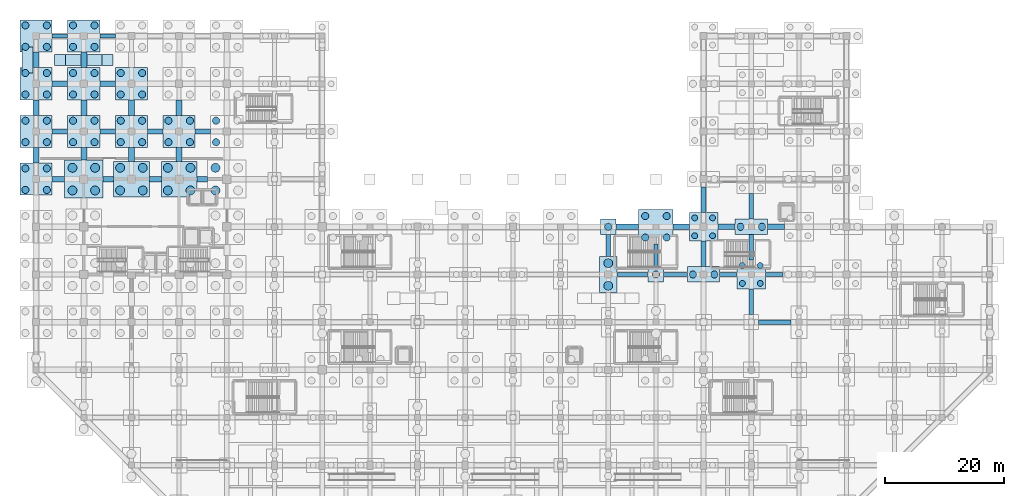
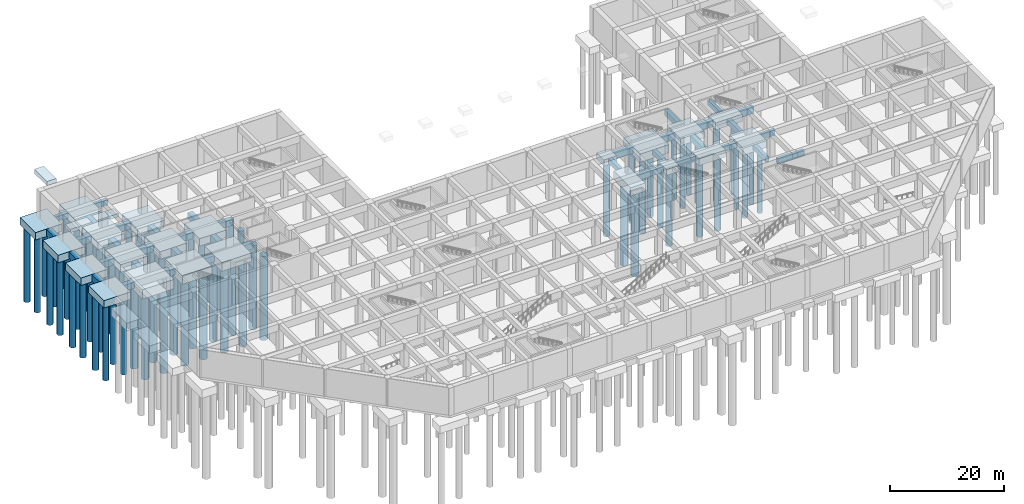
# One storey, part 6 of 26: 76 piles, 63 footings.
"""IFC4 building model written with IfcOpenShell, lengths in metres."""

from ifc_helpers import new_model, si_unit, direction, frame, origin, origin_2d, place, context, subcontext, project, spatial, rectangle, circle, extrude, material, material_profile, profile_set, type_object, element, save


model = new_model("IFC4")

# Units and contexts
model_context = context("Model", 3, precision=1e-05, world=origin(), true_north=direction((0.0, 1.0)))
body_context = subcontext(model_context, "Body", "Model", "MODEL_VIEW")
ifc_project = project(units=[si_unit("LENGTHUNIT", "METRE"), si_unit("AREAUNIT", "SQUARE_METRE"), si_unit("VOLUMEUNIT", "CUBIC_METRE"), si_unit("PLANEANGLEUNIT", "RADIAN"), si_unit("MASSUNIT", "GRAM", prefix="KILO")], contexts=[model_context])

# Site, building, storey
site_placement = place(None, origin())
site = spatial("IfcSite", under=ifc_project, at=site_placement, CompositionType="ELEMENT")
building_placement = place(site_placement, origin())
building = spatial("IfcBuilding", under=site, at=building_placement, Name="Varnela Railside Interchange", CompositionType="ELEMENT")
storey_placement = place(building_placement, frame((0.0, 0.0, -12.60009765625)))
storey = spatial("IfcBuildingStorey", under=building, at=storey_placement, Name="B2", CompositionType="ELEMENT", Elevation=-12.60009765625)

# Piles
ifc_material_1 = material(Name="Concrete C40", Category="concrete")
ifc_material_profile_1 = material_profile(ifc_material_1, circle(Radius=0.5, at=origin_2d()), Name="BORED PILE D1000")
ifc_profile_set_1 = profile_set([ifc_material_profile_1], Name="Concrete C40")
pile_type_1 = type_object("IfcPileType", Name="Bored Pile D1000 L14m", PredefinedType="BORED", material=ifc_profile_set_1)
for number, where, z_axis, x_axis, name in (
    (1, (114.5, 60.5, -2.2998046875), (0.0, 0.0, -1.0), (1.0, 0.0, 0.0), "Bored Pile D1000 L14m"),
    (2, (117.5, 60.5, -2.2998046875), (0.0, 0.0, -1.0), (1.0, 0.0, 0.0), "Bored Pile D1000 L14m"),
    (3, (114.5, 63.5, -2.2998046875), (0.0, 0.0, -1.0), (1.0, 0.0, 0.0), "Bored Pile D1000 L14m"),
    (4, (117.5, 63.5, -2.2998046875), (0.0, 0.0, -1.0), (1.0, 0.0, 0.0), "Bored Pile D1000 L14m"),
    (5, (122.5, 52.5, -2.2998046875), (0.0, 0.0, -1.0), (1.0, 0.0, 0.0), "Bored Pile D1000 L14m"),
    (6, (125.5, 52.5, -2.2998046875), (0.0, 0.0, -1.0), (1.0, 0.0, 0.0), "Bored Pile D1000 L14m"),
    (7, (122.5, 55.5, -2.2998046875), (0.0, 0.0, -1.0), (1.0, 0.0, 0.0), "Bored Pile D1000 L14m"),
    (8, (125.5, 55.5, -2.2998046875), (0.0, 0.0, -1.0), (1.0, 0.0, 0.0), "Bored Pile D1000 L14m"),
):
    element("IfcPile", number, at=place(storey_placement, frame(where, z_axis=z_axis, x_axis=x_axis)), inside=storey, type_object=pile_type_1, Name=name, PredefinedType="BORED", context=body_context, shape_type="SweptSolid", body=[
        extrude(circle(Radius=0.5, at=origin_2d()), origin(), (0.0, 0.0, 1.0), 14.0),
    ])
ifc_material_profile_2 = material_profile(ifc_material_1, circle(Radius=0.60009765625, at=origin_2d()), Name="BORED PILE D1200")
ifc_profile_set_2 = profile_set([ifc_material_profile_2], Name="Concrete C40")
pile_type_2 = type_object("IfcPileType", Name="Bored Pile D1200 L16m", PredefinedType="BORED", material=ifc_profile_set_2)
for number, where, z_axis, x_axis, name in (
    (9, (2.199951171875, 68.199951171875, -2.39990234375), (0.0, 0.0, -1.0), (1.0, 0.0, 0.0), "Bored Pile D1200 L16m"),
    (10, (5.800048828125, 68.199951171875, -2.39990234375), (0.0, 0.0, -1.0), (1.0, 0.0, 0.0), "Bored Pile D1200 L16m"),
    (11, (2.199951171875, 71.800048828125, -2.39990234375), (0.0, 0.0, -1.0), (1.0, 0.0, 0.0), "Bored Pile D1200 L16m"),
    (12, (5.800048828125, 71.800048828125, -2.39990234375), (0.0, 0.0, -1.0), (1.0, 0.0, 0.0), "Bored Pile D1200 L16m"),
    (13, (2.199951171875, 76.199951171875, -2.39990234375), (0.0, 0.0, -1.0), (1.0, 0.0, 0.0), "Bored Pile D1200 L16m"),
    (14, (5.800048828125, 76.199951171875, -2.39990234375), (0.0, 0.0, -1.0), (1.0, 0.0, 0.0), "Bored Pile D1200 L16m"),
    (15, (2.199951171875, 79.800048828125, -2.39990234375), (0.0, 0.0, -1.0), (1.0, 0.0, 0.0), "Bored Pile D1200 L16m"),
    (16, (5.800048828125, 79.800048828125, -2.39990234375), (0.0, 0.0, -1.0), (1.0, 0.0, 0.0), "Bored Pile D1200 L16m"),
    (17, (2.199951171875, 84.199951171875, -2.39990234375), (0.0, 0.0, -1.0), (1.0, 0.0, 0.0), "Bored Pile D1200 L16m"),
    (18, (5.800048828125, 84.199951171875, -2.39990234375), (0.0, 0.0, -1.0), (1.0, 0.0, 0.0), "Bored Pile D1200 L16m"),
    (19, (2.199951171875, 87.800048828125, -2.39990234375), (0.0, 0.0, -1.0), (1.0, 0.0, 0.0), "Bored Pile D1200 L16m"),
    (20, (5.800048828125, 87.800048828125, -2.39990234375), (0.0, 0.0, -1.0), (1.0, 0.0, 0.0), "Bored Pile D1200 L16m"),
    (21, (2.199951171875, 92.199951171875, -2.39990234375), (0.0, 0.0, -1.0), (1.0, 0.0, 0.0), "Bored Pile D1200 L16m"),
    (22, (5.800048828125, 92.199951171875, -2.39990234375), (0.0, 0.0, -1.0), (1.0, 0.0, 0.0), "Bored Pile D1200 L16m"),
    (23, (2.199951171875, 95.800048828125, -2.39990234375), (0.0, 0.0, -1.0), (1.0, 0.0, 0.0), "Bored Pile D1200 L16m"),
    (24, (5.800048828125, 95.800048828125, -2.39990234375), (0.0, 0.0, -1.0), (1.0, 0.0, 0.0), "Bored Pile D1200 L16m"),
    (25, (10.199951171875, 76.199951171875, -2.39990234375), (0.0, 0.0, -1.0), (1.0, 0.0, 0.0), "Bored Pile D1200 L16m"),
    (26, (13.800048828125, 76.199951171875, -2.39990234375), (0.0, 0.0, -1.0), (1.0, 0.0, 0.0), "Bored Pile D1200 L16m"),
    (27, (10.199951171875, 79.800048828125, -2.39990234375), (0.0, 0.0, -1.0), (1.0, 0.0, 0.0), "Bored Pile D1200 L16m"),
    (28, (13.800048828125, 79.800048828125, -2.39990234375), (0.0, 0.0, -1.0), (1.0, 0.0, 0.0), "Bored Pile D1200 L16m"),
    (29, (10.199951171875, 84.199951171875, -2.39990234375), (0.0, 0.0, -1.0), (1.0, 0.0, 0.0), "Bored Pile D1200 L16m"),
    (30, (13.800048828125, 84.199951171875, -2.39990234375), (0.0, 0.0, -1.0), (1.0, 0.0, 0.0), "Bored Pile D1200 L16m"),
    (31, (10.199951171875, 87.800048828125, -2.39990234375), (0.0, 0.0, -1.0), (1.0, 0.0, 0.0), "Bored Pile D1200 L16m"),
    (32, (13.800048828125, 87.800048828125, -2.39990234375), (0.0, 0.0, -1.0), (1.0, 0.0, 0.0), "Bored Pile D1200 L16m"),
    (33, (10.199951171875, 92.199951171875, -2.39990234375), (0.0, 0.0, -1.0), (1.0, 0.0, 0.0), "Bored Pile D1200 L16m"),
    (34, (13.800048828125, 92.199951171875, -2.39990234375), (0.0, 0.0, -1.0), (1.0, 0.0, 0.0), "Bored Pile D1200 L16m"),
    (35, (10.199951171875, 95.800048828125, -2.39990234375), (0.0, 0.0, -1.0), (1.0, 0.0, 0.0), "Bored Pile D1200 L16m"),
    (36, (13.800048828125, 95.800048828125, -2.39990234375), (0.0, 0.0, -1.0), (1.0, 0.0, 0.0), "Bored Pile D1200 L16m"),
    (37, (18.199951171875, 76.199951171875, -2.39990234375), (0.0, 0.0, -1.0), (1.0, 0.0, 0.0), "Bored Pile D1200 L16m"),
    (38, (21.800048828125, 76.199951171875, -2.39990234375), (0.0, 0.0, -1.0), (1.0, 0.0, 0.0), "Bored Pile D1200 L16m"),
    (39, (18.199951171875, 79.800048828125, -2.39990234375), (0.0, 0.0, -1.0), (1.0, 0.0, 0.0), "Bored Pile D1200 L16m"),
    (40, (21.800048828125, 79.800048828125, -2.39990234375), (0.0, 0.0, -1.0), (1.0, 0.0, 0.0), "Bored Pile D1200 L16m"),
    (41, (18.199951171875, 84.199951171875, -2.39990234375), (0.0, 0.0, -1.0), (1.0, 0.0, 0.0), "Bored Pile D1200 L16m"),
    (42, (21.800048828125, 84.199951171875, -2.39990234375), (0.0, 0.0, -1.0), (1.0, 0.0, 0.0), "Bored Pile D1200 L16m"),
    (43, (18.199951171875, 87.800048828125, -2.39990234375), (0.0, 0.0, -1.0), (1.0, 0.0, 0.0), "Bored Pile D1200 L16m"),
    (44, (21.800048828125, 87.800048828125, -2.39990234375), (0.0, 0.0, -1.0), (1.0, 0.0, 0.0), "Bored Pile D1200 L16m"),
    (45, (26.199951171875, 76.199951171875, -2.39990234375), (0.0, 0.0, -1.0), (1.0, 0.0, 0.0), "Bored Pile D1200 L16m"),
    (46, (29.800048828125, 76.199951171875, -2.39990234375), (0.0, 0.0, -1.0), (1.0, 0.0, 0.0), "Bored Pile D1200 L16m"),
    (47, (26.199951171875, 79.800048828125, -2.39990234375), (0.0, 0.0, -1.0), (1.0, 0.0, 0.0), "Bored Pile D1200 L16m"),
    (48, (29.800048828125, 79.800048828125, -2.39990234375), (0.0, 0.0, -1.0), (1.0, 0.0, 0.0), "Bored Pile D1200 L16m"),
    (49, (34.199951171875, 76.199951171875, -2.39990234375), (0.0, 0.0, -1.0), (1.0, 0.0, 0.0), "Bored Pile D1200 L16m"),
    (50, (34.199951171875, 79.800048828125, -2.39990234375), (0.0, 0.0, -1.0), (1.0, 0.0, 0.0), "Bored Pile D1200 L16m"),
    (51, (100.0, 62.0, -2.099853515625), (0.0, 0.0, -1.0), (1.0, 0.0, 0.0), "Bored Pile D1200 L16m"),
    (52, (108.0, 54.0, -2.099853515625), (0.0, 0.0, -1.0), (1.0, 0.0, 0.0), "Bored Pile D1200 L16m"),
    (53, (106.199951171875, 60.199951171875, -2.5498046875), (0.0, 0.0, -1.0), (1.0, 0.0, 0.0), "Bored Pile D1200 L16m"),
    (54, (109.800048828125, 60.199951171875, -2.5498046875), (0.0, 0.0, -1.0), (1.0, 0.0, 0.0), "Bored Pile D1200 L16m"),
    (55, (106.199951171875, 63.800048828125, -2.5498046875), (0.0, 0.0, -1.0), (1.0, 0.0, 0.0), "Bored Pile D1200 L16m"),
    (56, (109.800048828125, 63.800048828125, -2.5498046875), (0.0, 0.0, -1.0), (1.0, 0.0, 0.0), "Bored Pile D1200 L16m"),
    (57, (114.199951171875, 54.0, -2.2998046875), (0.0, 0.0, -1.0), (1.0, 0.0, 0.0), "Bored Pile D1200 L16m"),
    (58, (117.800048828125, 54.0, -2.2998046875), (0.0, 0.0, -1.0), (1.0, 0.0, 0.0), "Bored Pile D1200 L16m"),
    (59, (122.199951171875, 62.0, -2.2998046875), (0.0, 0.0, -1.0), (1.0, 0.0, 0.0), "Bored Pile D1200 L16m"),
    (60, (125.800048828125, 62.0, -2.2998046875), (0.0, 0.0, -1.0), (1.0, 0.0, 0.0), "Bored Pile D1200 L16m"),
):
    element("IfcPile", number, at=place(storey_placement, frame(where, z_axis=z_axis, x_axis=x_axis)), inside=storey, type_object=pile_type_2, Name=name, PredefinedType="BORED", context=body_context, shape_type="SweptSolid", body=[
        extrude(circle(Radius=0.60009765625, at=origin_2d()), origin(), (0.0, 0.0, 1.0), 16.0),
    ])
ifc_material_profile_3 = material_profile(ifc_material_1, circle(Radius=0.75, at=origin_2d()), Name="BORED PILE D1500")
ifc_profile_set_3 = profile_set([ifc_material_profile_3], Name="Concrete C40")
pile_type_3 = type_object("IfcPileType", Name="Bored Pile D1500 L18m", PredefinedType="BORED", material=ifc_profile_set_3)
for number, where, z_axis, x_axis, name in (
    (61, (10.10009765625, 68.10009765625, -2.7998046875), (0.0, 0.0, -1.0), (1.0, 0.0, 0.0), "Bored Pile D1500 L18m"),
    (62, (13.89990234375, 68.10009765625, -2.7998046875), (0.0, 0.0, -1.0), (1.0, 0.0, 0.0), "Bored Pile D1500 L18m"),
    (63, (10.10009765625, 71.89990234375, -2.7998046875), (0.0, 0.0, -1.0), (1.0, 0.0, 0.0), "Bored Pile D1500 L18m"),
    (64, (13.89990234375, 71.89990234375, -2.7998046875), (0.0, 0.0, -1.0), (1.0, 0.0, 0.0), "Bored Pile D1500 L18m"),
    (65, (18.10009765625, 68.10009765625, -2.64990234375), (0.0, 0.0, -1.0), (1.0, 0.0, 0.0), "Bored Pile D1500 L18m"),
    (66, (21.89990234375, 68.10009765625, -2.64990234375), (0.0, 0.0, -1.0), (1.0, 0.0, 0.0), "Bored Pile D1500 L18m"),
    (67, (18.10009765625, 71.89990234375, -2.64990234375), (0.0, 0.0, -1.0), (1.0, 0.0, 0.0), "Bored Pile D1500 L18m"),
    (68, (21.89990234375, 71.89990234375, -2.64990234375), (0.0, 0.0, -1.0), (1.0, 0.0, 0.0), "Bored Pile D1500 L18m"),
    (69, (26.10009765625, 68.10009765625, -2.64990234375), (0.0, 0.0, -1.0), (1.0, 0.0, 0.0), "Bored Pile D1500 L18m"),
    (70, (29.89990234375, 68.10009765625, -2.64990234375), (0.0, 0.0, -1.0), (1.0, 0.0, 0.0), "Bored Pile D1500 L18m"),
    (71, (26.10009765625, 71.89990234375, -2.64990234375), (0.0, 0.0, -1.0), (1.0, 0.0, 0.0), "Bored Pile D1500 L18m"),
    (72, (29.89990234375, 71.89990234375, -2.64990234375), (0.0, 0.0, -1.0), (1.0, 0.0, 0.0), "Bored Pile D1500 L18m"),
    (73, (34.10009765625, 68.10009765625, -2.7998046875), (0.0, 0.0, -1.0), (1.0, 0.0, 0.0), "Bored Pile D1500 L18m"),
    (74, (34.10009765625, 71.89990234375, -2.7998046875), (0.0, 0.0, -1.0), (1.0, 0.0, 0.0), "Bored Pile D1500 L18m"),
    (75, (100.0, 52.10009765625, -2.5498046875), (0.0, 0.0, -1.0), (1.0, 0.0, 0.0), "Bored Pile D1500 L18m"),
    (76, (100.0, 55.89990234375, -2.5498046875), (0.0, 0.0, -1.0), (1.0, 0.0, 0.0), "Bored Pile D1500 L18m"),
):
    element("IfcPile", number, at=place(storey_placement, frame(where, z_axis=z_axis, x_axis=x_axis)), inside=storey, type_object=pile_type_3, Name=name, PredefinedType="BORED", context=body_context, shape_type="SweptSolid", body=[
        extrude(circle(Radius=0.75, at=origin_2d()), origin(), (0.0, 0.0, 1.0), 18.0),
    ])

# Footings
ifc_material_2 = material(Name="Concrete C50", Category="concrete")
footing_type_1 = type_object("IfcFootingType", Name="Four-Pile Box Cap PC-11", PredefinedType="PILE_CAP", material=ifc_material_2)
for number, where, z_axis, x_axis, name in (
    (77, (4.0, 70.0, -2.39990234375), (0.0, 0.0, 1.0), (1.0, 0.0, 0.0), "Four-Pile Box Cap PC-11 (FT-0108)"),
    (78, (4.0, 78.0, -2.39990234375), (0.0, 0.0, 1.0), (1.0, 0.0, 0.0), "Four-Pile Box Cap PC-11 (FT-0109)"),
    (79, (4.0, 86.0, -2.39990234375), (0.0, 0.0, 1.0), (1.0, 0.0, 0.0), "Four-Pile Box Cap PC-11 (FT-0110)"),
    (80, (4.0, 94.0, -2.39990234375), (0.0, 0.0, 1.0), (1.0, 0.0, 0.0), "Four-Pile Box Cap PC-11 (FT-0111)"),
    (81, (12.0, 78.0, -2.39990234375), (0.0, 0.0, 1.0), (1.0, 0.0, 0.0), "Four-Pile Box Cap PC-11 (FT-0127)"),
    (82, (12.0, 86.0, -2.39990234375), (0.0, 0.0, 1.0), (1.0, 0.0, 0.0), "Four-Pile Box Cap PC-11 (FT-0128)"),
    (83, (12.0, 94.0, -2.39990234375), (0.0, 0.0, 1.0), (1.0, 0.0, 0.0), "Four-Pile Box Cap PC-11 (FT-0129)"),
    (84, (20.0, 78.0, -2.39990234375), (0.0, 0.0, 1.0), (1.0, 0.0, 0.0), "Four-Pile Box Cap PC-11 (FT-0136)"),
    (85, (20.0, 86.0, -2.39990234375), (0.0, 0.0, 1.0), (1.0, 0.0, 0.0), "Four-Pile Box Cap PC-11 (FT-0137)"),
    (86, (28.0, 78.0, -2.39990234375), (0.0, 0.0, 1.0), (1.0, 0.0, 0.0), "Four-Pile Box Cap PC-11 (FT-0146)"),
):
    element("IfcFooting", number, at=place(storey_placement, frame(where, z_axis=z_axis, x_axis=x_axis)), inside=storey, type_object=footing_type_1, Name=name, PredefinedType="PILE_CAP", context=body_context, shape_type="SweptSolid", body=[
        extrude(rectangle(XDim=5.39990234375, YDim=5.39990234375, at=origin_2d()), origin(), (0.0, 0.0, 1.0), 1.60009765625),
    ])
footing_type_2 = type_object("IfcFootingType", Name="Four-Pile Cap PC-06", PredefinedType="PILE_CAP", material=ifc_material_2)
for number, where, z_axis, x_axis, name in (
    (87, (116.0, 62.0, -2.2998046875), (0.0, 0.0, 1.0), (1.0, 0.0, 0.0), "Four-Pile Cap PC-06 (FT-0058)"),
    (88, (124.0, 54.0, -2.2998046875), (0.0, 0.0, 1.0), (1.0, 0.0, 0.0), "Four-Pile Cap PC-06 (FT-0069)"),
):
    element("IfcFooting", number, at=place(storey_placement, frame(where, z_axis=z_axis, x_axis=x_axis)), inside=storey, type_object=footing_type_2, Name=name, PredefinedType="PILE_CAP", context=body_context, shape_type="SweptSolid", body=[
        extrude(rectangle(XDim=4.800048828125, YDim=4.800048828125, at=origin_2d()), origin(), (0.0, 0.0, 1.0), 1.5),
    ])
footing_type_3 = type_object("IfcFootingType", Name="Four-Pile Core Cap PC-15", PredefinedType="PILE_CAP", material=ifc_material_2)
for number, where, z_axis, x_axis, name in (
    (89, (20.0, 70.0, -2.64990234375), (0.0, 0.0, 1.0), (1.0, 0.0, 0.0), "Four-Pile Core Cap PC-15 (FT-0135)"),
    (90, (28.0, 70.0, -2.64990234375), (0.0, 0.0, 1.0), (1.0, 0.0, 0.0), "Four-Pile Core Cap PC-15 (FT-0145)"),
):
    element("IfcFooting", number, at=place(storey_placement, frame(where, z_axis=z_axis, x_axis=x_axis)), inside=storey, type_object=footing_type_3, Name=name, PredefinedType="PILE_CAP", context=body_context, shape_type="SweptSolid", body=[
        extrude(rectangle(XDim=6.0, YDim=6.0, at=origin_2d()), origin(), (0.0, 0.0, 1.0), 1.85009765625),
    ])
footing_type_4 = type_object("IfcFootingType", Name="Four-Pile Mega Cap PC-16", PredefinedType="PILE_CAP", material=ifc_material_2)
footing_1_placement = place(storey_placement, frame((12.0, 70.0, -2.7998046875), z_axis=(0.0, 0.0, 1.0), x_axis=(1.0, 0.0, 0.0)))
element("IfcFooting", 91, at=footing_1_placement, inside=storey, type_object=footing_type_4, Name="Four-Pile Mega Cap PC-16 (FT-0126)", PredefinedType="PILE_CAP", context=body_context, shape_type="SweptSolid", body=[
    extrude(rectangle(XDim=6.39990234375, YDim=6.39990234375, at=origin_2d()), origin(), (0.0, 0.0, 1.0), 2.0),
])
footing_type_5 = type_object("IfcFootingType", Name="Four-Pile Transfer PC-12", PredefinedType="PILE_CAP", material=ifc_material_2)
footing_2_placement = place(storey_placement, frame((108.0, 62.0, -2.5498046875), z_axis=(0.0, 0.0, 1.0), x_axis=(1.0, 0.0, 0.0)))
element("IfcFooting", 92, at=footing_2_placement, inside=storey, type_object=footing_type_5, Name="Four-Pile Transfer PC-12 (FT-0050)", PredefinedType="PILE_CAP", context=body_context, shape_type="SweptSolid", body=[
    extrude(rectangle(XDim=5.800048828125, YDim=5.800048828125, at=origin_2d()), origin(), (0.0, 0.0, 1.0), 1.75),
])
footing_type_6 = type_object("IfcFootingType", Name="Ground Tie Beam GB-01", PredefinedType="FOOTING_BEAM", material=ifc_material_2)
footing_3_placement = place(storey_placement, frame((100.0, 58.85009765625, -1.89990234375), z_axis=(0.0, 0.0, 1.0), x_axis=(1.0, 0.0, 0.0)))
element("IfcFooting", 93, at=footing_3_placement, inside=storey, type_object=footing_type_6, Name="Ground Tie Beam GB-01 (FT-0408)", PredefinedType="FOOTING_BEAM", context=body_context, shape_type="SweptSolid", body=[
    extrude(rectangle(XDim=0.699951171875, YDim=3.699951171875, at=origin_2d()), origin(), (0.0, 0.0, 1.0), 1.10009765625),
])
footing_4_placement = place(storey_placement, frame((108.0, 57.199951171875, -1.89990234375), z_axis=(0.0, 0.0, 1.0), x_axis=(1.0, 0.0, 0.0)))
element("IfcFooting", 94, at=footing_4_placement, inside=storey, type_object=footing_type_6, Name="Ground Tie Beam GB-01 (FT-0415)", PredefinedType="FOOTING_BEAM", context=body_context, shape_type="SweptSolid", body=[
    extrude(rectangle(XDim=0.699951171875, YDim=3.800048828125, at=origin_2d()), origin(), (0.0, 0.0, 1.0), 1.10009765625),
])
footing_5_placement = place(storey_placement, frame((124.0, 49.425048828125, -1.89990234375), z_axis=(0.0, 0.0, 1.0), x_axis=(1.0, 0.0, 0.0)))
element("IfcFooting", 95, at=footing_5_placement, inside=storey, type_object=footing_type_6, Name="Ground Tie Beam GB-01 (FT-0433)", PredefinedType="FOOTING_BEAM", context=body_context, shape_type="SweptSolid", body=[
    extrude(rectangle(XDim=0.699951171875, YDim=4.35009765625, at=origin_2d()), origin(), (0.0, 0.0, 1.0), 1.10009765625),
])
for number, where, z_axis, x_axis, name in (
    (96, (124.0, 58.550048828125, -1.89990234375), (0.0, 0.0, 1.0), (1.0, 0.0, 0.0), "Ground Tie Beam GB-01 (FT-0434)"),
    (97, (124.0, 65.449951171875, -1.89990234375), (0.0, 0.0, 1.0), (1.0, 0.0, 0.0), "Ground Tie Beam GB-01 (FT-0435)"),
):
    element("IfcFooting", number, at=place(storey_placement, frame(where, z_axis=z_axis, x_axis=x_axis)), inside=storey, type_object=footing_type_6, Name=name, PredefinedType="FOOTING_BEAM", context=body_context, shape_type="SweptSolid", body=[
        extrude(rectangle(XDim=0.699951171875, YDim=4.300048828125, at=origin_2d()), origin(), (0.0, 0.0, 1.0), 1.10009765625),
    ])
footing_6_placement = place(storey_placement, frame((127.949951171875, 46.0, -1.89990234375), z_axis=(0.0, 0.0, 1.0), x_axis=(1.0, 0.0, 0.0)))
element("IfcFooting", 98, at=footing_6_placement, inside=storey, type_object=footing_type_6, Name="Ground Tie Beam GB-01 (FT-0295)", PredefinedType="FOOTING_BEAM", context=body_context, shape_type="SweptSolid", body=[
    extrude(rectangle(XDim=5.39990234375, YDim=0.699951171875, at=origin_2d()), origin(), (0.0, 0.0, 1.0), 1.10009765625),
])
footing_7_placement = place(storey_placement, frame((104.10009765625, 54.0, -1.89990234375), z_axis=(0.0, 0.0, 1.0), x_axis=(1.0, 0.0, 0.0)))
element("IfcFooting", 99, at=footing_7_placement, inside=storey, type_object=footing_type_6, Name="Ground Tie Beam GB-01 (FT-0312)", PredefinedType="FOOTING_BEAM", context=body_context, shape_type="SweptSolid", body=[
    extrude(rectangle(XDim=5.199951171875, YDim=0.699951171875, at=origin_2d()), origin(), (0.0, 0.0, 1.0), 1.10009765625),
])
footing_8_placement = place(storey_placement, frame((111.300048828125, 54.0, -1.89990234375), z_axis=(0.0, 0.0, 1.0), x_axis=(1.0, 0.0, 0.0)))
element("IfcFooting", 100, at=footing_8_placement, inside=storey, type_object=footing_type_6, Name="Ground Tie Beam GB-01 (FT-0313)", PredefinedType="FOOTING_BEAM", context=body_context, shape_type="SweptSolid", body=[
    extrude(rectangle(XDim=4.0, YDim=0.699951171875, at=origin_2d()), origin(), (0.0, 0.0, 1.0), 1.10009765625),
])
for number, where, z_axis, x_axis, name in (
    (101, (120.14990234375, 54.0, -1.89990234375), (0.0, 0.0, 1.0), (1.0, 0.0, 0.0), "Ground Tie Beam GB-01 (FT-0314)"),
    (102, (127.85009765625, 54.0, -1.89990234375), (0.0, 0.0, 1.0), (1.0, 0.0, 0.0), "Ground Tie Beam GB-01 (FT-0315)"),
):
    element("IfcFooting", number, at=place(storey_placement, frame(where, z_axis=z_axis, x_axis=x_axis)), inside=storey, type_object=footing_type_6, Name=name, PredefinedType="FOOTING_BEAM", context=body_context, shape_type="SweptSolid", body=[
        extrude(rectangle(XDim=2.89990234375, YDim=0.699951171875, at=origin_2d()), origin(), (0.0, 0.0, 1.0), 1.10009765625),
    ])
for number, where, z_axis, x_axis, name in (
    (103, (8.0, 94.0, -1.89990234375), (0.0, 0.0, 1.0), (1.0, 0.0, 0.0), "Ground Tie Beam GB-01 (FT-0372)"),
    (104, (16.0, 94.0, -1.89990234375), (0.0, 0.0, 1.0), (1.0, 0.0, 0.0), "Ground Tie Beam GB-01 (FT-0373)"),
):
    element("IfcFooting", number, at=place(storey_placement, frame(where, z_axis=z_axis, x_axis=x_axis)), inside=storey, type_object=footing_type_6, Name=name, PredefinedType="FOOTING_BEAM", context=body_context, shape_type="SweptSolid", body=[
        extrude(rectangle(XDim=2.60009765625, YDim=0.699951171875, at=origin_2d()), origin(), (0.0, 0.0, 1.0), 1.10009765625),
    ])
footing_type_7 = type_object("IfcFootingType", Name="Ground Tie Beam GB-02", PredefinedType="FOOTING_BEAM", material=ifc_material_2)
for number, where, z_axis, x_axis, name in (
    (105, (116.0, 57.449951171875, -2.0), (0.0, 0.0, 1.0), (1.0, 0.0, 0.0), "Ground Tie Beam GB-02 (FT-0423)"),
    (106, (116.0, 66.550048828125, -2.0), (0.0, 0.0, 1.0), (1.0, 0.0, 0.0), "Ground Tie Beam GB-02 (FT-0424)"),
):
    element("IfcFooting", number, at=place(storey_placement, frame(where, z_axis=z_axis, x_axis=x_axis)), inside=storey, type_object=footing_type_7, Name=name, PredefinedType="FOOTING_BEAM", context=body_context, shape_type="SweptSolid", body=[
        extrude(rectangle(XDim=0.800048828125, YDim=4.300048828125, at=origin_2d()), origin(), (0.0, 0.0, 1.0), 1.199951171875),
    ])
footing_type_8 = type_object("IfcFootingType", Name="Ground Tie Beam GB-03", PredefinedType="FOOTING_BEAM", material=ifc_material_2)
footing_9_placement = place(storey_placement, frame((103.199951171875, 62.0, -2.10009765625), z_axis=(0.0, 0.0, 1.0), x_axis=(1.0, 0.0, 0.0)))
element("IfcFooting", 107, at=footing_9_placement, inside=storey, type_object=footing_type_8, Name="Ground Tie Beam GB-03 (FT-0331)", PredefinedType="FOOTING_BEAM", context=body_context, shape_type="SweptSolid", body=[
    extrude(rectangle(XDim=3.800048828125, YDim=0.89990234375, at=origin_2d()), origin(), (0.0, 0.0, 1.0), 1.300048828125),
])
footing_10_placement = place(storey_placement, frame((112.25, 62.0, -2.10009765625), z_axis=(0.0, 0.0, 1.0), x_axis=(1.0, 0.0, 0.0)))
element("IfcFooting", 108, at=footing_10_placement, inside=storey, type_object=footing_type_8, Name="Ground Tie Beam GB-03 (FT-0332)", PredefinedType="FOOTING_BEAM", context=body_context, shape_type="SweptSolid", body=[
    extrude(rectangle(XDim=2.699951171875, YDim=0.89990234375, at=origin_2d()), origin(), (0.0, 0.0, 1.0), 1.300048828125),
])
for number, where, z_axis, x_axis, name in (
    (109, (119.85009765625, 62.0, -2.10009765625), (0.0, 0.0, 1.0), (1.0, 0.0, 0.0), "Ground Tie Beam GB-03 (FT-0333)"),
    (110, (128.14990234375, 62.0, -2.10009765625), (0.0, 0.0, 1.0), (1.0, 0.0, 0.0), "Ground Tie Beam GB-03 (FT-0334)"),
):
    element("IfcFooting", number, at=place(storey_placement, frame(where, z_axis=z_axis, x_axis=x_axis)), inside=storey, type_object=footing_type_8, Name=name, PredefinedType="FOOTING_BEAM", context=body_context, shape_type="SweptSolid", body=[
        extrude(rectangle(XDim=2.89990234375, YDim=0.89990234375, at=origin_2d()), origin(), (0.0, 0.0, 1.0), 1.300048828125),
    ])
footing_11_placement = place(storey_placement, frame((7.75, 70.0, -2.10009765625), z_axis=(0.0, 0.0, 1.0), x_axis=(1.0, 0.0, 0.0)))
element("IfcFooting", 111, at=footing_11_placement, inside=storey, type_object=footing_type_8, Name="Ground Tie Beam GB-03 (FT-0345)", PredefinedType="FOOTING_BEAM", context=body_context, shape_type="SweptSolid", body=[
    extrude(rectangle(XDim=2.10009765625, YDim=0.89990234375, at=origin_2d()), origin(), (0.0, 0.0, 1.0), 1.300048828125),
])
footing_12_placement = place(storey_placement, frame((16.10009765625, 70.0, -2.10009765625), z_axis=(0.0, 0.0, 1.0), x_axis=(1.0, 0.0, 0.0)))
element("IfcFooting", 112, at=footing_12_placement, inside=storey, type_object=footing_type_8, Name="Ground Tie Beam GB-03 (FT-0346)", PredefinedType="FOOTING_BEAM", context=body_context, shape_type="SweptSolid", body=[
    extrude(rectangle(XDim=1.800048828125, YDim=0.89990234375, at=origin_2d()), origin(), (0.0, 0.0, 1.0), 1.300048828125),
])
footing_13_placement = place(storey_placement, frame((24.0, 70.0, -2.10009765625), z_axis=(0.0, 0.0, 1.0), x_axis=(1.0, 0.0, 0.0)))
element("IfcFooting", 113, at=footing_13_placement, inside=storey, type_object=footing_type_8, Name="Ground Tie Beam GB-03 (FT-0350)", PredefinedType="FOOTING_BEAM", context=body_context, shape_type="SweptSolid", body=[
    extrude(rectangle(XDim=2.0, YDim=0.89990234375, at=origin_2d()), origin(), (0.0, 0.0, 1.0), 1.300048828125),
])
footing_14_placement = place(storey_placement, frame((31.89990234375, 70.0, -2.10009765625), z_axis=(0.0, 0.0, 1.0), x_axis=(1.0, 0.0, 0.0)))
element("IfcFooting", 114, at=footing_14_placement, inside=storey, type_object=footing_type_8, Name="Ground Tie Beam GB-03 (FT-0351)", PredefinedType="FOOTING_BEAM", context=body_context, shape_type="SweptSolid", body=[
    extrude(rectangle(XDim=1.800048828125, YDim=0.89990234375, at=origin_2d()), origin(), (0.0, 0.0, 1.0), 1.300048828125),
])
for number, where, z_axis, x_axis, name in (
    (115, (8.0, 78.0, -2.10009765625), (0.0, 0.0, 1.0), (1.0, 0.0, 0.0), "Ground Tie Beam GB-03 (FT-0354)"),
    (116, (16.0, 78.0, -2.10009765625), (0.0, 0.0, 1.0), (1.0, 0.0, 0.0), "Ground Tie Beam GB-03 (FT-0355)"),
    (117, (24.0, 78.0, -2.10009765625), (0.0, 0.0, 1.0), (1.0, 0.0, 0.0), "Ground Tie Beam GB-03 (FT-0359)"),
    (118, (32.0, 78.0, -2.10009765625), (0.0, 0.0, 1.0), (1.0, 0.0, 0.0), "Ground Tie Beam GB-03 (FT-0360)"),
    (119, (8.0, 86.0, -2.10009765625), (0.0, 0.0, 1.0), (1.0, 0.0, 0.0), "Ground Tie Beam GB-03 (FT-0363)"),
    (120, (16.0, 86.0, -2.10009765625), (0.0, 0.0, 1.0), (1.0, 0.0, 0.0), "Ground Tie Beam GB-03 (FT-0364)"),
):
    element("IfcFooting", number, at=place(storey_placement, frame(where, z_axis=z_axis, x_axis=x_axis)), inside=storey, type_object=footing_type_8, Name=name, PredefinedType="FOOTING_BEAM", context=body_context, shape_type="SweptSolid", body=[
        extrude(rectangle(XDim=2.60009765625, YDim=0.89990234375, at=origin_2d()), origin(), (0.0, 0.0, 1.0), 1.300048828125),
    ])
footing_type_9 = type_object("IfcFootingType", Name="Ground Tie Beam GB-04", PredefinedType="FOOTING_BEAM", material=ifc_material_2)
for number, where, z_axis, x_axis, name in (
    (121, (4.0, 74.0, -2.199951171875), (0.0, 0.0, 1.0), (1.0, 0.0, 0.0), "Ground Tie Beam GB-04 (FT-0469)"),
    (122, (4.0, 82.0, -2.199951171875), (0.0, 0.0, 1.0), (1.0, 0.0, 0.0), "Ground Tie Beam GB-04 (FT-0470)"),
    (123, (4.0, 90.0, -2.199951171875), (0.0, 0.0, 1.0), (1.0, 0.0, 0.0), "Ground Tie Beam GB-04 (FT-0464)"),
):
    element("IfcFooting", number, at=place(storey_placement, frame(where, z_axis=z_axis, x_axis=x_axis)), inside=storey, type_object=footing_type_9, Name=name, PredefinedType="FOOTING_BEAM", context=body_context, shape_type="SweptSolid", body=[
        extrude(rectangle(XDim=1.0, YDim=2.60009765625, at=origin_2d()), origin(), (0.0, 0.0, 1.0), 1.39990234375),
    ])
footing_15_placement = place(storey_placement, frame((12.0, 74.25, -2.199951171875), z_axis=(0.0, 0.0, 1.0), x_axis=(1.0, 0.0, 0.0)))
element("IfcFooting", 124, at=footing_15_placement, inside=storey, type_object=footing_type_9, Name="Ground Tie Beam GB-04 (FT-0484)", PredefinedType="FOOTING_BEAM", context=body_context, shape_type="SweptSolid", body=[
    extrude(rectangle(XDim=1.0, YDim=2.10009765625, at=origin_2d()), origin(), (0.0, 0.0, 1.0), 1.39990234375),
])
for number, where, z_axis, x_axis, name in (
    (125, (12.0, 82.0, -2.199951171875), (0.0, 0.0, 1.0), (1.0, 0.0, 0.0), "Ground Tie Beam GB-04 (FT-0485)"),
    (126, (12.0, 90.0, -2.199951171875), (0.0, 0.0, 1.0), (1.0, 0.0, 0.0), "Ground Tie Beam GB-04 (FT-0478)"),
):
    element("IfcFooting", number, at=place(storey_placement, frame(where, z_axis=z_axis, x_axis=x_axis)), inside=storey, type_object=footing_type_9, Name=name, PredefinedType="FOOTING_BEAM", context=body_context, shape_type="SweptSolid", body=[
        extrude(rectangle(XDim=1.0, YDim=2.60009765625, at=origin_2d()), origin(), (0.0, 0.0, 1.0), 1.39990234375),
    ])
footing_16_placement = place(storey_placement, frame((20.0, 74.14990234375, -2.199951171875), z_axis=(0.0, 0.0, 1.0), x_axis=(1.0, 0.0, 0.0)))
element("IfcFooting", 127, at=footing_16_placement, inside=storey, type_object=footing_type_9, Name="Ground Tie Beam GB-04 (FT-0491)", PredefinedType="FOOTING_BEAM", context=body_context, shape_type="SweptSolid", body=[
    extrude(rectangle(XDim=1.0, YDim=2.300048828125, at=origin_2d()), origin(), (0.0, 0.0, 1.0), 1.39990234375),
])
footing_17_placement = place(storey_placement, frame((20.0, 82.0, -2.199951171875), z_axis=(0.0, 0.0, 1.0), x_axis=(1.0, 0.0, 0.0)))
element("IfcFooting", 128, at=footing_17_placement, inside=storey, type_object=footing_type_9, Name="Ground Tie Beam GB-04 (FT-0492)", PredefinedType="FOOTING_BEAM", context=body_context, shape_type="SweptSolid", body=[
    extrude(rectangle(XDim=1.0, YDim=2.60009765625, at=origin_2d()), origin(), (0.0, 0.0, 1.0), 1.39990234375),
])
footing_18_placement = place(storey_placement, frame((28.0, 74.14990234375, -2.199951171875), z_axis=(0.0, 0.0, 1.0), x_axis=(1.0, 0.0, 0.0)))
element("IfcFooting", 129, at=footing_18_placement, inside=storey, type_object=footing_type_9, Name="Ground Tie Beam GB-04 (FT-0499)", PredefinedType="FOOTING_BEAM", context=body_context, shape_type="SweptSolid", body=[
    extrude(rectangle(XDim=1.0, YDim=2.300048828125, at=origin_2d()), origin(), (0.0, 0.0, 1.0), 1.39990234375),
])
footing_19_placement = place(storey_placement, frame((28.0, 82.0, -2.199951171875), z_axis=(0.0, 0.0, 1.0), x_axis=(1.0, 0.0, 0.0)))
element("IfcFooting", 130, at=footing_19_placement, inside=storey, type_object=footing_type_9, Name="Ground Tie Beam GB-04 (FT-0500)", PredefinedType="FOOTING_BEAM", context=body_context, shape_type="SweptSolid", body=[
    extrude(rectangle(XDim=1.0, YDim=2.60009765625, at=origin_2d()), origin(), (0.0, 0.0, 1.0), 1.39990234375),
])
footing_type_10 = type_object("IfcFootingType", Name="Ramp Toe Pad Footing AP-01", PredefinedType="PAD_FOOTING", material=ifc_material_2)
for number, where, z_axis, x_axis, name in (
    (131, (8.0, 90.0, -1.5), (0.0, 0.0, 1.0), (1.0, 0.0, 0.0), "Ramp Toe Pad Footing AP-01 (FT-0002)"),
    (132, (16.0, 90.0, -1.5), (0.0, 0.0, 1.0), (1.0, 0.0, 0.0), "Ramp Toe Pad Footing AP-01 (FT-0001)"),
):
    element("IfcFooting", number, at=place(storey_placement, frame(where, z_axis=z_axis, x_axis=x_axis)), inside=storey, type_object=footing_type_10, Name=name, PredefinedType="PAD_FOOTING", context=body_context, shape_type="SweptSolid", body=[
        extrude(rectangle(XDim=1.800048828125, YDim=1.800048828125, at=origin_2d()), origin(), (0.0, 0.0, 1.0), 0.699951171875),
    ])
footing_type_11 = type_object("IfcFootingType", Name="Single Large Pile Cap PC-07", PredefinedType="PILE_CAP", material=ifc_material_2)
for number, where, z_axis, x_axis, name in (
    (133, (100.0, 62.0, -2.10009765625), (0.0, 0.0, 1.0), (1.0, 0.0, 0.0), "Single Large Pile Cap PC-07 (FT-0042)"),
    (134, (108.0, 54.0, -2.10009765625), (0.0, 0.0, 1.0), (1.0, 0.0, 0.0), "Single Large Pile Cap PC-07 (FT-0049)"),
):
    element("IfcFooting", number, at=place(storey_placement, frame(where, z_axis=z_axis, x_axis=x_axis)), inside=storey, type_object=footing_type_11, Name=name, PredefinedType="PILE_CAP", context=body_context, shape_type="SweptSolid", body=[
        extrude(rectangle(XDim=2.60009765625, YDim=2.60009765625, at=origin_2d()), origin(), (0.0, 0.0, 1.0), 1.300048828125),
    ])
footing_type_12 = type_object("IfcFootingType", Name="Substation Equipment Pad AP-04", PredefinedType="PAD_FOOTING", material=ifc_material_2)
footing_20_placement = place(storey_placement, frame((2.550048828125, 90.0, 11.250244140625), z_axis=(0.0, 0.0, 1.0), x_axis=(1.0, 0.0, 0.0)))
element("IfcFooting", 135, at=footing_20_placement, inside=storey, type_object=footing_type_12, Name="Substation Equipment Pad AP-04 (FT-0563)", PredefinedType="PAD_FOOTING", context=body_context, shape_type="SweptSolid", body=[
    extrude(rectangle(XDim=1.89990234375, YDim=4.39990234375, at=origin_2d()), origin(), (0.0, 0.0, 1.0), 0.89990234375),
])
footing_type_13 = type_object("IfcFootingType", Name="Two-Pile Cap X D1200 PC-08", PredefinedType="PILE_CAP", material=ifc_material_2)
for number, where, z_axis, x_axis, name in (
    (136, (116.0, 54.0, -2.2998046875), (0.0, 0.0, 1.0), (1.0, 0.0, 0.0), "Two-Pile Cap X D1200 PC-08 (FT-0057)"),
    (137, (124.0, 62.0, -2.2998046875), (0.0, 0.0, 1.0), (1.0, 0.0, 0.0), "Two-Pile Cap X D1200 PC-08 (FT-0070)"),
):
    element("IfcFooting", number, at=place(storey_placement, frame(where, z_axis=z_axis, x_axis=x_axis)), inside=storey, type_object=footing_type_13, Name=name, PredefinedType="PILE_CAP", context=body_context, shape_type="SweptSolid", body=[
        extrude(rectangle(XDim=5.39990234375, YDim=2.60009765625, at=origin_2d()), origin(), (0.0, 0.0, 1.0), 1.5),
    ])
footing_type_14 = type_object("IfcFootingType", Name="Two-Pile Heavy Cap Y PC-14", PredefinedType="PILE_CAP", material=ifc_material_2)
footing_21_placement = place(storey_placement, frame((100.0, 54.0, -2.5498046875), z_axis=(0.0, 0.0, 1.0), x_axis=(1.0, 0.0, 0.0)))
element("IfcFooting", 138, at=footing_21_placement, inside=storey, type_object=footing_type_14, Name="Two-Pile Heavy Cap Y PC-14 (FT-0041)", PredefinedType="PILE_CAP", context=body_context, shape_type="SweptSolid", body=[
    extrude(rectangle(XDim=3.0, YDim=6.0, at=origin_2d()), origin(), (0.0, 0.0, 1.0), 1.75),
])
footing_type_15 = type_object("IfcFootingType", Name="Wall Strip Footing SF-01", PredefinedType="STRIP_FOOTING", material=ifc_material_2)
footing_22_placement = place(storey_placement, frame((12.0, 90.0, -1.699951171875), z_axis=(0.0, 0.0, 1.0), x_axis=(1.0, 0.0, 0.0)))
element("IfcFooting", 139, at=footing_22_placement, inside=storey, type_object=footing_type_15, Name="Wall Strip Footing SF-01 (FT-0550)", PredefinedType="STRIP_FOOTING", context=body_context, shape_type="SweptSolid", body=[
    extrude(rectangle(XDim=6.199951171875, YDim=1.800048828125, at=origin_2d()), origin(), (0.0, 0.0, 1.0), 0.89990234375),
])

save(model, "model.ifc")
